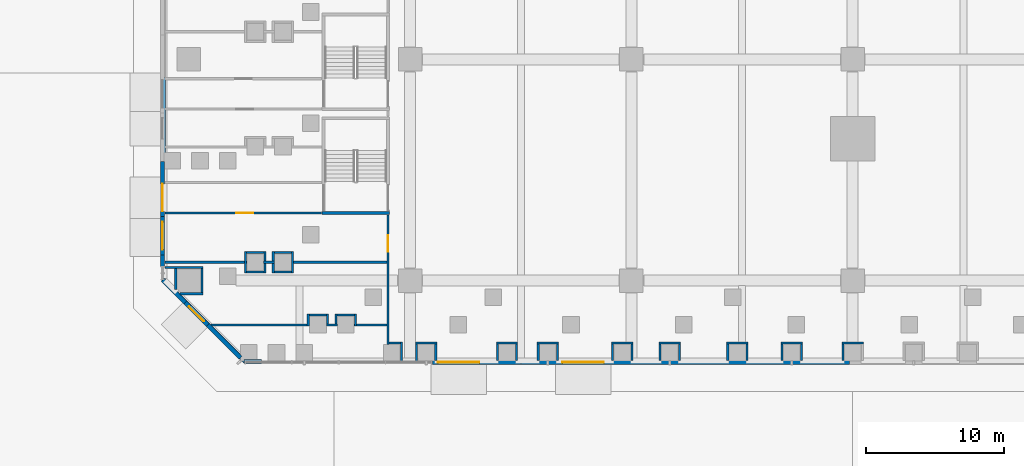
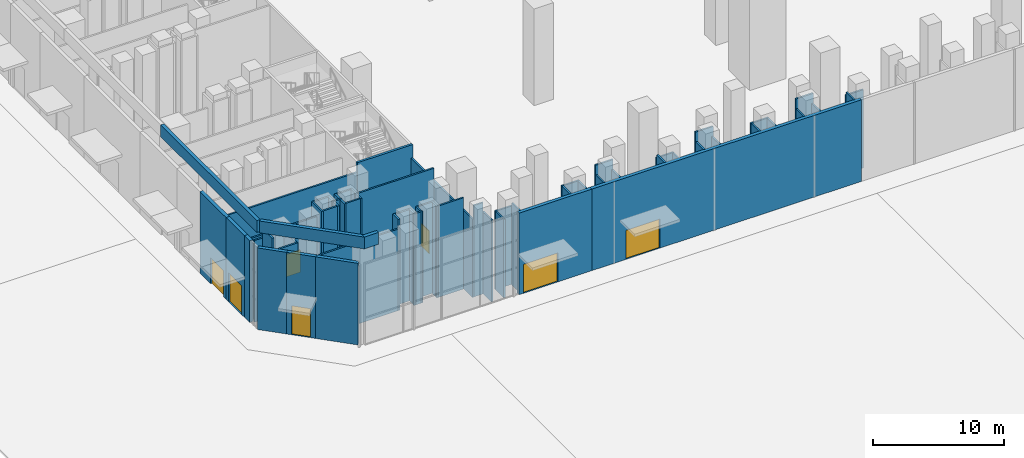
# One storey, part 18 of 51: 63 walls, 7 doors, 7 openings.
"""IFC4 building model written with IfcOpenShell, lengths in metres."""

from ifc_helpers import new_model, si_unit, direction, frame, frame_2d, origin, place, context, subcontext, project, spatial, rectangle, extrude, material, layer, layer_set, type_object, element, fill, save


model = new_model("IFC4")

# Units and contexts
model_context = context("Model", 3, precision=1e-05, world=origin(), true_north=direction((0.0, 1.0)))
body_context = subcontext(model_context, "Body", "Model", "MODEL_VIEW")
ifc_project = project(units=[si_unit("LENGTHUNIT", "METRE"), si_unit("AREAUNIT", "SQUARE_METRE"), si_unit("VOLUMEUNIT", "CUBIC_METRE"), si_unit("PLANEANGLEUNIT", "RADIAN"), si_unit("MASSUNIT", "GRAM", prefix="KILO")], contexts=[model_context])

# Site, building, storey
site_placement = place(None, origin())
site = spatial("IfcSite", under=ifc_project, at=site_placement, CompositionType="ELEMENT")
building_placement = place(site_placement, origin())
building = spatial("IfcBuilding", under=site, at=building_placement, Name="Calabash Gate Tower", CompositionType="ELEMENT")
storey_placement = place(building_placement, origin())
storey = spatial("IfcBuildingStorey", under=building, at=storey_placement, Name="L00", CompositionType="ELEMENT", Elevation=0.0)

# Walls
ifc_material_1 = material(Name="Gypsum board on steel studs, mineral wool", Category="steel")
ifc_layer_1 = layer(ifc_material_1, 0.14990234375)
ifc_layer_set_1 = layer_set([ifc_layer_1], Name="Partition 150 gypsum board")
wall_type_1 = type_object("IfcWallType", Name="Partition 150 gypsum board", PredefinedType="PARTITIONING", material=ifc_layer_set_1)
wall_1_placement = place(storey_placement, frame((-32.635009765625, -45.820068359375, 0.0), z_axis=(0.0, 0.0, 1.0), x_axis=(0.0, 1.0, 0.0)))
element("IfcWall", 1, at=wall_1_placement, inside=storey, type_object=wall_type_1, Name="Partition", PredefinedType="PARTITIONING", context=body_context, shape_type="SweptSolid", body=[
    extrude(rectangle(XDim=1.39501953125, YDim=0.14990234375, at=frame_2d((0.697509765625, 0.0))), origin(), (0.0, 0.0, 1.0), 7.60009765625),
])
wall_2_placement = place(storey_placement, frame((-31.552978515625, -45.820068359375, 0.0), z_axis=(0.0, 0.0, 1.0), x_axis=(0.0, 1.0, 0.0)))
element("IfcWall", 2, at=wall_2_placement, inside=storey, type_object=wall_type_1, Name="Partition", PredefinedType="PARTITIONING", context=body_context, shape_type="SweptSolid", body=[
    extrude(rectangle(XDim=1.2451171875, YDim=0.14990234375, at=frame_2d((0.62255859375, 0.0))), origin(), (0.0, 0.0, 1.0), 7.300048828125),
])
for number, where, z_axis, x_axis, name in (
    (3, (-30.153076171875, -45.77001953125, 0.0), (0.0, 0.0, 1.0), (0.0, 1.0, 0.0), "Partition"),
    (4, (-25.700927734375, -45.77001953125, 0.0), (0.0, 0.0, 1.0), (0.0, 1.0, 0.0), "Partition"),
    (5, (-24.301025390625, -45.77001953125, 0.0), (0.0, 0.0, 1.0), (0.0, 1.0, 0.0), "Partition"),
    (6, (-22.738037109375, -45.77001953125, 0.0), (0.0, 0.0, 1.0), (0.0, 1.0, 0.0), "Partition"),
    (7, (-21.337890625, -45.77001953125, 0.0), (0.0, 0.0, 1.0), (0.0, 1.0, 0.0), "Partition"),
    (8, (-17.366943359375, -45.77001953125, 0.0), (0.0, 0.0, 1.0), (0.0, 1.0, 0.0), "Partition"),
):
    element("IfcWall", number, at=place(storey_placement, frame(where, z_axis=z_axis, x_axis=x_axis)), inside=storey, type_object=wall_type_1, Name=name, PredefinedType="PARTITIONING", context=body_context, shape_type="SweptSolid", body=[
        extrude(rectangle(XDim=1.195068359375, YDim=0.14990234375, at=frame_2d((0.59765625, 0.0))), origin(), (0.0, 0.0, 1.0), 7.60009765625),
    ])
wall_3_placement = place(storey_placement, frame((-15.967041015625, -45.77001953125, 0.0), z_axis=(0.0, 0.0, 1.0), x_axis=(0.0, 1.0, 0.0)))
element("IfcWall", 9, at=wall_3_placement, inside=storey, type_object=wall_type_1, Name="Partition", PredefinedType="PARTITIONING", context=body_context, shape_type="SweptSolid", body=[
    extrude(rectangle(XDim=1.195068359375, YDim=0.14990234375, at=frame_2d((0.59765625, 0.0))), origin(), (0.0, 0.0, 1.0), 7.300048828125),
])
for number, where, z_axis, x_axis, name in (
    (10, (-13.923095703125, -45.77001953125, 0.0), (0.0, 0.0, 1.0), (0.0, 1.0, 0.0), "Partition"),
    (11, (-12.52294921875, -45.77001953125, 0.0), (0.0, 0.0, 1.0), (0.0, 1.0, 0.0), "Partition"),
    (12, (-9.033935546875, -45.77001953125, 0.0), (0.0, 0.0, 1.0), (0.0, 1.0, 0.0), "Partition"),
    (13, (-7.634033203125, -45.77001953125, 0.0), (0.0, 0.0, 1.0), (0.0, 1.0, 0.0), "Partition"),
    (14, (-5.10791015625, -45.77001953125, 0.0), (0.0, 0.0, 1.0), (0.0, 1.0, 0.0), "Partition"),
    (15, (-3.7080078125, -45.77001953125, 0.0), (0.0, 0.0, 1.0), (0.0, 1.0, 0.0), "Partition"),
    (16, (-0.699951171875, -45.77001953125, 0.0), (0.0, 0.0, 1.0), (0.0, 1.0, 0.0), "Partition"),
):
    element("IfcWall", number, at=place(storey_placement, frame(where, z_axis=z_axis, x_axis=x_axis)), inside=storey, type_object=wall_type_1, Name=name, PredefinedType="PARTITIONING", context=body_context, shape_type="SweptSolid", body=[
        extrude(rectangle(XDim=1.195068359375, YDim=0.14990234375, at=frame_2d((0.59765625, 0.0))), origin(), (0.0, 0.0, 1.0), 7.60009765625),
    ])

# Wall, opening, door
wall_4_placement = place(storey_placement, frame((-33.60009765625, -44.60009765625, 0.0), z_axis=(0.0, 0.0, 1.0), x_axis=(0.0, 1.0, 0.0)))
wall_4 = element("IfcWall", 17, at=wall_4_placement, inside=storey, type_object=wall_type_1, Name="Partition", PredefinedType="PARTITIONING", context=body_context, shape_type="SweptSolid", body=[
    extrude(rectangle(XDim=9.360107421875, YDim=0.14990234375, at=frame_2d((4.68017578125, 0.0))), origin(), (0.0, 0.0, 1.0), 7.300048828125),
])
opening_1_placement = place(wall_4_placement, frame((6.699951171875, 0.0, 0.0)))
opening_1 = element("IfcOpeningElement", 18, at=opening_1_placement, cuts=wall_4, Name="Opening L00-085", PredefinedType="OPENING", context=body_context, shape_type="SweptSolid", body=[
    extrude(rectangle(XDim=1.199951171875, YDim=2.10009765625, at=frame_2d((0.60009765625, 1.050048828125))), frame((0.0, 0.0849609375, 0.0), z_axis=(0.0, -1.0, 0.0), x_axis=(1.0, 0.0, 0.0)), (0.0, 0.0, 1.0), 0.169921875),
])
ifc_material_2 = material(Name="Steel fire door set with fire-resisting glazing", Category="steel")
door_type_1 = type_object("IfcDoorType", Name="Fire door D09 1200x2100 FD60", OperationType="NOTDEFINED", PredefinedType="DOOR", material=ifc_material_2)
door_1_placement = place(opening_1_placement, origin())
door_1 = element("IfcDoor", 19, at=door_1_placement, inside=storey, type_object=door_type_1, Name="Shop 02 Cafe door", OperationType="SINGLE_SWING_LEFT", OverallHeight=2.10009765625, OverallWidth=1.199951171875, PredefinedType="DOOR", context=body_context, shape_type="SweptSolid", body=[
    extrude(rectangle(XDim=1.199951171875, YDim=2.10009765625, at=frame_2d((0.60009765625, 1.050048828125))), frame((0.0, 0.02490234375, 0.0), z_axis=(0.0, -1.0, 0.0), x_axis=(1.0, 0.0, 0.0)), (0.0, 0.0, 1.0), 0.050048828125),
])
fill(opening_1, door_1)

# Walls
wall_5_placement = place(storey_placement, frame((-33.52490234375, -44.5, 0.0), z_axis=(0.0, 0.0, 1.0), x_axis=(1.0, 0.0, 0.0)))
element("IfcWall", 20, at=wall_5_placement, inside=storey, type_object=wall_type_1, Name="Partition", PredefinedType="PARTITIONING", context=body_context, shape_type="SweptSolid", body=[
    extrude(rectangle(XDim=0.81494140625, YDim=0.14990234375, at=frame_2d((0.407470703125, 0.0))), origin(), (0.0, 0.0, 1.0), 8.5),
])
wall_6_placement = place(storey_placement, frame((-31.6279296875, -44.5, 0.0), z_axis=(0.0, 0.0, 1.0), x_axis=(1.0, 0.0, 0.0)))
element("IfcWall", 21, at=wall_6_placement, inside=storey, type_object=wall_type_1, Name="Partition", PredefinedType="PARTITIONING", context=body_context, shape_type="SweptSolid", body=[
    extrude(rectangle(XDim=1.550048828125, YDim=0.14990234375, at=frame_2d((0.77490234375, 0.0))), origin(), (0.0, 0.0, 1.0), 7.300048828125),
])
wall_7_placement = place(storey_placement, frame((-25.77587890625, -44.5, 0.0), z_axis=(0.0, 0.0, 1.0), x_axis=(1.0, 0.0, 0.0)))
element("IfcWall", 22, at=wall_7_placement, inside=storey, type_object=wall_type_1, Name="Partition", PredefinedType="PARTITIONING", context=body_context, shape_type="SweptSolid", body=[
    extrude(rectangle(XDim=1.5498046875, YDim=0.14990234375, at=frame_2d((0.77490234375, 0.0))), origin(), (0.0, 0.0, 1.0), 7.60009765625),
])
wall_8_placement = place(storey_placement, frame((-22.81298828125, -44.5, 0.0), z_axis=(0.0, 0.0, 1.0), x_axis=(1.0, 0.0, 0.0)))
element("IfcWall", 23, at=wall_8_placement, inside=storey, type_object=wall_type_1, Name="Partition", PredefinedType="PARTITIONING", context=body_context, shape_type="SweptSolid", body=[
    extrude(rectangle(XDim=1.550048828125, YDim=0.14990234375, at=frame_2d((0.77490234375, 0.0))), origin(), (0.0, 0.0, 1.0), 8.5),
])
wall_9_placement = place(storey_placement, frame((-17.44189453125, -44.5, 0.0), z_axis=(0.0, 0.0, 1.0), x_axis=(1.0, 0.0, 0.0)))
element("IfcWall", 24, at=wall_9_placement, inside=storey, type_object=wall_type_1, Name="Partition", PredefinedType="PARTITIONING", context=body_context, shape_type="SweptSolid", body=[
    extrude(rectangle(XDim=1.5498046875, YDim=0.14990234375, at=frame_2d((0.77490234375, 0.0))), origin(), (0.0, 0.0, 1.0), 7.300048828125),
])
wall_10_placement = place(storey_placement, frame((-13.998046875, -44.5, 0.0), z_axis=(0.0, 0.0, 1.0), x_axis=(1.0, 0.0, 0.0)))
element("IfcWall", 25, at=wall_10_placement, inside=storey, type_object=wall_type_1, Name="Partition", PredefinedType="PARTITIONING", context=body_context, shape_type="SweptSolid", body=[
    extrude(rectangle(XDim=1.550048828125, YDim=0.14990234375, at=frame_2d((0.77490234375, 0.0))), origin(), (0.0, 0.0, 1.0), 8.5),
])
wall_11_placement = place(storey_placement, frame((-9.10888671875, -44.5, 0.0), z_axis=(0.0, 0.0, 1.0), x_axis=(1.0, 0.0, 0.0)))
element("IfcWall", 26, at=wall_11_placement, inside=storey, type_object=wall_type_1, Name="Partition", PredefinedType="PARTITIONING", context=body_context, shape_type="SweptSolid", body=[
    extrude(rectangle(XDim=1.5498046875, YDim=0.14990234375, at=frame_2d((0.77490234375, 0.0))), origin(), (0.0, 0.0, 1.0), 7.60009765625),
])
wall_12_placement = place(storey_placement, frame((-5.18310546875, -44.5, 0.0), z_axis=(0.0, 0.0, 1.0), x_axis=(1.0, 0.0, 0.0)))
element("IfcWall", 27, at=wall_12_placement, inside=storey, type_object=wall_type_1, Name="Partition", PredefinedType="PARTITIONING", context=body_context, shape_type="SweptSolid", body=[
    extrude(rectangle(XDim=1.550048828125, YDim=0.14990234375, at=frame_2d((0.77490234375, 0.0))), origin(), (0.0, 0.0, 1.0), 8.5),
])
wall_13_placement = place(storey_placement, frame((-0.77490234375, -44.5, 0.0), z_axis=(0.0, 0.0, 1.0), x_axis=(1.0, 0.0, 0.0)))
element("IfcWall", 28, at=wall_13_placement, inside=storey, type_object=wall_type_1, Name="Partition", PredefinedType="PARTITIONING", context=body_context, shape_type="SweptSolid", body=[
    extrude(rectangle(XDim=1.5498046875, YDim=0.14990234375, at=frame_2d((0.77490234375, 0.0))), origin(), (0.0, 0.0, 1.0), 7.300048828125),
])
wall_14_placement = place(storey_placement, frame((-46.395751953125, -43.199951171875, 0.0), z_axis=(0.0, 0.0, 1.0), x_axis=(1.0, 0.0, 0.0)))
element("IfcWall", 29, at=wall_14_placement, inside=storey, type_object=wall_type_1, Name="Partition", PredefinedType="PARTITIONING", context=body_context, shape_type="SweptSolid", body=[
    extrude(rectangle(XDim=7.126708984375, YDim=0.14990234375, at=frame_2d((3.5634765625, 0.0))), origin(), (0.0, 0.0, 1.0), 7.60009765625),
])
wall_15_placement = place(storey_placement, frame((-39.368896484375, -43.27490234375, 0.0), z_axis=(0.0, 0.0, 1.0), x_axis=(0.0, 1.0, 0.0)))
element("IfcWall", 30, at=wall_15_placement, inside=storey, type_object=wall_type_1, Name="Partition", PredefinedType="PARTITIONING", context=body_context, shape_type="SweptSolid", body=[
    extrude(rectangle(XDim=0.849853515625, YDim=0.14990234375, at=frame_2d((0.4248046875, 0.0))), origin(), (0.0, 0.0, 1.0), 8.5),
])
wall_16_placement = place(storey_placement, frame((-38.069091796875, -43.199951171875, 0.0), z_axis=(0.0, 0.0, 1.0), x_axis=(1.0, 0.0, 0.0)))
element("IfcWall", 31, at=wall_16_placement, inside=storey, type_object=wall_type_1, Name="Partition", PredefinedType="PARTITIONING", context=body_context, shape_type="SweptSolid", body=[
    extrude(rectangle(XDim=0.800048828125, YDim=0.14990234375, at=frame_2d((0.39990234375, 0.0))), origin(), (0.0, 0.0, 1.0), 8.5),
])
for number, where, z_axis, x_axis, name in (
    (32, (-37.968994140625, -43.27490234375, 0.0), (0.0, 0.0, 1.0), (0.0, 1.0, 0.0), "Partition"),
    (33, (-37.368896484375, -43.27490234375, 0.0), (0.0, 0.0, 1.0), (0.0, 1.0, 0.0), "Partition"),
):
    element("IfcWall", number, at=place(storey_placement, frame(where, z_axis=z_axis, x_axis=x_axis)), inside=storey, type_object=wall_type_1, Name=name, PredefinedType="PARTITIONING", context=body_context, shape_type="SweptSolid", body=[
        extrude(rectangle(XDim=0.849853515625, YDim=0.14990234375, at=frame_2d((0.4248046875, 0.0))), origin(), (0.0, 0.0, 1.0), 8.5),
    ])
wall_17_placement = place(storey_placement, frame((-36.069091796875, -43.199951171875, 0.0), z_axis=(0.0, 0.0, 1.0), x_axis=(1.0, 0.0, 0.0)))
element("IfcWall", 34, at=wall_17_placement, inside=storey, type_object=wall_type_1, Name="Partition", PredefinedType="PARTITIONING", context=body_context, shape_type="SweptSolid", body=[
    extrude(rectangle(XDim=2.39404296875, YDim=0.14990234375, at=frame_2d((1.197021484375, 0.0))), origin(), (0.0, 0.0, 1.0), 8.5),
])
wall_18_placement = place(storey_placement, frame((-35.968994140625, -43.27490234375, 0.0), z_axis=(0.0, 0.0, 1.0), x_axis=(0.0, 1.0, 0.0)))
element("IfcWall", 35, at=wall_18_placement, inside=storey, type_object=wall_type_1, Name="Partition", PredefinedType="PARTITIONING", context=body_context, shape_type="SweptSolid", body=[
    extrude(rectangle(XDim=0.849853515625, YDim=0.14990234375, at=frame_2d((0.4248046875, 0.0))), origin(), (0.0, 0.0, 1.0), 8.5),
])
for number, where, z_axis, x_axis, name in (
    (36, (-39.2939453125, -42.5, 0.0), (0.0, 0.0, 1.0), (1.0, 0.0, 0.0), "Partition"),
    (37, (-37.2939453125, -42.5, 0.0), (0.0, 0.0, 1.0), (1.0, 0.0, 0.0), "Partition"),
):
    element("IfcWall", number, at=place(storey_placement, frame(where, z_axis=z_axis, x_axis=x_axis)), inside=storey, type_object=wall_type_1, Name=name, PredefinedType="PARTITIONING", context=body_context, shape_type="SweptSolid", body=[
        extrude(rectangle(XDim=1.25, YDim=0.14990234375, at=frame_2d((0.625, 0.0))), origin(), (0.0, 0.0, 1.0), 8.5),
    ])
wall_19_placement = place(storey_placement, frame((-48.645751953125, -40.949951171875, 0.0), z_axis=(0.0, 0.0, 1.0), x_axis=(1.0, 0.0, 0.0)))
element("IfcWall", 38, at=wall_19_placement, inside=storey, type_object=wall_type_1, Name="Partition", PredefinedType="PARTITIONING", context=body_context, shape_type="SweptSolid", body=[
    extrude(rectangle(XDim=1.670654296875, YDim=0.14990234375, at=frame_2d((0.83544921875, 0.0))), origin(), (0.0, 0.0, 1.0), 7.60009765625),
])
wall_20_placement = place(storey_placement, frame((-47.050048828125, -40.875, 0.0), z_axis=(0.0, 0.0, 1.0), x_axis=(0.0, 1.0, 0.0)))
element("IfcWall", 39, at=wall_20_placement, inside=storey, type_object=wall_type_1, Name="Partition", PredefinedType="PARTITIONING", context=body_context, shape_type="SweptSolid", body=[
    extrude(rectangle(XDim=1.75, YDim=0.14990234375, at=frame_2d((0.875, 0.0))), origin(), (0.0, 0.0, 1.0), 7.60009765625),
])
wall_21_placement = place(storey_placement, frame((-48.949951171875, -40.645751953125, 0.0), z_axis=(0.0, 0.0, 1.0), x_axis=(0.0, 1.0, 0.0)))
element("IfcWall", 40, at=wall_21_placement, inside=storey, type_object=wall_type_1, Name="Partition", PredefinedType="PARTITIONING", context=body_context, shape_type="SweptSolid", body=[
    extrude(rectangle(XDim=1.520751953125, YDim=0.14990234375, at=frame_2d((0.76025390625, 0.0))), origin(), (0.0, 0.0, 1.0), 8.5),
])
wall_22_placement = place(storey_placement, frame((-43.89990234375, -39.444091796875, 0.0), z_axis=(0.0, 0.0, 1.0), x_axis=(0.0, 1.0, 0.0)))
element("IfcWall", 41, at=wall_22_placement, inside=storey, type_object=wall_type_1, Name="Partition", PredefinedType="PARTITIONING", context=body_context, shape_type="SweptSolid", body=[
    extrude(rectangle(XDim=1.550048828125, YDim=0.14990234375, at=frame_2d((0.77490234375, 0.0))), origin(), (0.0, 0.0, 1.0), 8.5),
])
wall_23_placement = place(storey_placement, frame((-43.824951171875, -39.368896484375, 0.0), z_axis=(0.0, 0.0, 1.0), x_axis=(1.0, 0.0, 0.0)))
element("IfcWall", 42, at=wall_23_placement, inside=storey, type_object=wall_type_1, Name="Partition", PredefinedType="PARTITIONING", context=body_context, shape_type="SweptSolid", body=[
    extrude(rectangle(XDim=1.25, YDim=0.14990234375, at=frame_2d((0.625, 0.0))), origin(), (0.0, 0.0, 1.0), 8.5),
])
for number, where, z_axis, x_axis, name in (
    (43, (-42.5, -39.444091796875, 0.0), (0.0, 0.0, 1.0), (0.0, 1.0, 0.0), "Partition"),
    (44, (-41.89990234375, -39.444091796875, 0.0), (0.0, 0.0, 1.0), (0.0, 1.0, 0.0), "Partition"),
):
    element("IfcWall", number, at=place(storey_placement, frame(where, z_axis=z_axis, x_axis=x_axis)), inside=storey, type_object=wall_type_1, Name=name, PredefinedType="PARTITIONING", context=body_context, shape_type="SweptSolid", body=[
        extrude(rectangle(XDim=1.550048828125, YDim=0.14990234375, at=frame_2d((0.77490234375, 0.0))), origin(), (0.0, 0.0, 1.0), 8.5),
    ])
wall_24_placement = place(storey_placement, frame((-41.824951171875, -39.368896484375, 0.0), z_axis=(0.0, 0.0, 1.0), x_axis=(1.0, 0.0, 0.0)))
element("IfcWall", 45, at=wall_24_placement, inside=storey, type_object=wall_type_1, Name="Partition", PredefinedType="PARTITIONING", context=body_context, shape_type="SweptSolid", body=[
    extrude(rectangle(XDim=1.25, YDim=0.14990234375, at=frame_2d((0.625, 0.0))), origin(), (0.0, 0.0, 1.0), 8.5),
])
wall_25_placement = place(storey_placement, frame((-40.5, -39.444091796875, 0.0), z_axis=(0.0, 0.0, 1.0), x_axis=(0.0, 1.0, 0.0)))
element("IfcWall", 46, at=wall_25_placement, inside=storey, type_object=wall_type_1, Name="Partition", PredefinedType="PARTITIONING", context=body_context, shape_type="SweptSolid", body=[
    extrude(rectangle(XDim=1.550048828125, YDim=0.14990234375, at=frame_2d((0.77490234375, 0.0))), origin(), (0.0, 0.0, 1.0), 8.5),
])
wall_26_placement = place(storey_placement, frame((-49.719970703125, -39.050048828125, 0.0), z_axis=(0.0, 0.0, 1.0), x_axis=(1.0, 0.0, 0.0)))
element("IfcWall", 47, at=wall_26_placement, inside=storey, type_object=wall_type_1, Name="Partition", PredefinedType="PARTITIONING", context=body_context, shape_type="SweptSolid", body=[
    extrude(rectangle(XDim=2.744873046875, YDim=0.14990234375, at=frame_2d((1.37255859375, 0.0))), origin(), (0.0, 0.0, 1.0), 7.60009765625),
])
wall_27_placement = place(storey_placement, frame((-49.719970703125, -38.669921875, 0.0), z_axis=(0.0, 0.0, 1.0), x_axis=(1.0, 0.0, 0.0)))
element("IfcWall", 48, at=wall_27_placement, inside=storey, type_object=wall_type_1, Name="Partition", PredefinedType="PARTITIONING", context=body_context, shape_type="SweptSolid", body=[
    extrude(rectangle(XDim=5.919921875, YDim=0.14990234375, at=frame_2d((2.9599609375, 0.0))), origin(), (0.0, 0.0, 1.0), 7.60009765625),
])
wall_28_placement = place(storey_placement, frame((-42.60009765625, -38.669921875, 0.0), z_axis=(0.0, 0.0, 1.0), x_axis=(1.0, 0.0, 0.0)))
element("IfcWall", 49, at=wall_28_placement, inside=storey, type_object=wall_type_1, Name="Partition", PredefinedType="PARTITIONING", context=body_context, shape_type="SweptSolid", body=[
    extrude(rectangle(XDim=0.800048828125, YDim=0.14990234375, at=frame_2d((0.39990234375, 0.0))), origin(), (0.0, 0.0, 1.0), 8.5),
])
wall_29_placement = place(storey_placement, frame((-40.60009765625, -38.669921875, 0.0), z_axis=(0.0, 0.0, 1.0), x_axis=(1.0, 0.0, 0.0)))
element("IfcWall", 50, at=wall_29_placement, inside=storey, type_object=wall_type_1, Name="Partition", PredefinedType="PARTITIONING", context=body_context, shape_type="SweptSolid", body=[
    extrude(rectangle(XDim=6.925048828125, YDim=0.14990234375, at=frame_2d((3.46240234375, 0.0))), origin(), (0.0, 0.0, 1.0), 8.5),
])
for number, where, z_axis, x_axis, name in (
    (51, (-43.824951171875, -37.968994140625, 0.0), (0.0, 0.0, 1.0), (1.0, 0.0, 0.0), "Partition"),
    (52, (-41.824951171875, -37.968994140625, 0.0), (0.0, 0.0, 1.0), (1.0, 0.0, 0.0), "Partition"),
):
    element("IfcWall", number, at=place(storey_placement, frame(where, z_axis=z_axis, x_axis=x_axis)), inside=storey, type_object=wall_type_1, Name=name, PredefinedType="PARTITIONING", context=body_context, shape_type="SweptSolid", body=[
        extrude(rectangle(XDim=1.25, YDim=0.14990234375, at=frame_2d((0.625, 0.0))), origin(), (0.0, 0.0, 1.0), 8.5),
    ])

# Wall, opening, door
wall_30_placement = place(storey_placement, frame((-49.719970703125, -35.1005859375, 0.0), z_axis=(0.0, 0.0, 1.0), x_axis=(1.0, 0.0, 0.0)))
wall_30 = element("IfcWall", 53, at=wall_30_placement, inside=storey, type_object=wall_type_1, Name="Partition", PredefinedType="PARTITIONING", context=body_context, shape_type="SweptSolid", body=[
    extrude(rectangle(XDim=11.31005859375, YDim=0.15087890625, at=frame_2d((5.655029296875, 0.0))), origin(), (0.0, 0.0, 1.0), 7.60009765625),
])
opening_2_placement = place(wall_30_placement, frame((5.155029296875, 0.0, 0.0)))
opening_2 = element("IfcOpeningElement", 54, at=opening_2_placement, cuts=wall_30, Name="Opening L00-086", PredefinedType="OPENING", context=body_context, shape_type="SweptSolid", body=[
    extrude(rectangle(XDim=1.199951171875, YDim=2.10009765625, at=frame_2d((0.60009765625, 1.050048828125))), frame((0.0, 0.08544921875, 0.0), z_axis=(0.0, -1.0, 0.0), x_axis=(1.0, 0.0, 0.0)), (0.0, 0.0, 1.0), 0.1708984375),
])
door_2_placement = place(opening_2_placement, origin())
door_2 = element("IfcDoor", 55, at=door_2_placement, inside=storey, type_object=door_type_1, Name="Shop 03 door", OperationType="SINGLE_SWING_RIGHT", OverallHeight=2.10009765625, OverallWidth=1.199951171875, PredefinedType="DOOR", context=body_context, shape_type="SweptSolid", body=[
    extrude(rectangle(XDim=1.199951171875, YDim=2.10009765625, at=frame_2d((0.60009765625, 1.050048828125))), frame((0.0, 0.02490234375, 0.0), z_axis=(0.0, -1.0, 0.0), x_axis=(1.0, 0.0, 0.0)), (0.0, 0.0, 1.0), 0.050048828125),
])
fill(opening_2, door_2)

# Walls
ifc_material_3 = material(Name="Terracotta brick masonry, exposed face", Category="masonry")
ifc_layer_2 = layer(ifc_material_3, 0.300048828125)
ifc_layer_set_2 = layer_set([ifc_layer_2], Name="Podium brick wall 300")
wall_type_2 = type_object("IfcWallType", Name="Podium brick wall 300", PredefinedType="SOLIDWALL", material=ifc_layer_set_2)
wall_31_placement = place(storey_placement, frame((-49.89990234375, -38.154052734375, 0.0), z_axis=(0.0, 0.0, 1.0), x_axis=(0.0, -1.0, 0.0)))
element("IfcWall", 56, at=wall_31_placement, inside=storey, type_object=wall_type_2, Name="Podium brick pier L00 6.1.p11", PredefinedType="SOLIDWALL", context=body_context, shape_type="SweptSolid", body=[
    extrude(rectangle(XDim=0.81591796875, YDim=0.300048828125, at=frame_2d((0.407958984375, 0.0))), origin(), (0.0, 0.0, 1.0), 7.60009765625),
])
wall_32_placement = place(storey_placement, frame((-49.89404296875, -39.964599609375, 0.0), z_axis=(0.0, 0.0, 1.0), x_axis=(0.707159765846, -0.707053792556, 0.0)))
element("IfcWall", 57, at=wall_32_placement, inside=storey, type_object=wall_type_2, Name="Podium brick wall L00 7.0.0", PredefinedType="SOLIDWALL", context=body_context, shape_type="SweptSolid", body=[
    extrude(rectangle(XDim=2.3037109375, YDim=0.300048828125, at=frame_2d((1.15185546875, 0.0))), origin(), (0.0, 0.0, 1.0), 7.60009765625),
])
wall_33_placement = place(storey_placement, frame((-46.638671875, -43.219970703125, 0.0), z_axis=(0.0, 0.0, 1.0), x_axis=(0.707106781187, -0.707106781187, 0.0)))
element("IfcWall", 58, at=wall_33_placement, inside=storey, type_object=wall_type_2, Name="Podium brick wall L00 7.1.0", PredefinedType="SOLIDWALL", context=body_context, shape_type="SweptSolid", body=[
    extrude(rectangle(XDim=3.348388671875, YDim=0.300048828125, at=frame_2d((1.67431640625, 0.0))), origin(), (0.0, 0.0, 1.0), 7.60009765625),
])

# Wall, opening, door
ifc_material_4 = material(Name="Aluminium framed entrance wall with insulated spandrel", Category="aluminium")
ifc_layer_3 = layer(ifc_material_4, 0.300048828125)
ifc_layer_set_3 = layer_set([ifc_layer_3], Name="Podium entrance wall 300")
wall_type_3 = type_object("IfcWallType", Name="Podium entrance wall 300", PredefinedType="ELEMENTEDWALL", material=ifc_layer_set_3)
wall_34_placement = place(storey_placement, frame((-30.39599609375, -45.89990234375, 0.0), z_axis=(0.0, 0.0, 1.0), x_axis=(1.0, 0.0, 0.0)))
wall_34 = element("IfcWall", 59, at=wall_34_placement, inside=storey, type_object=wall_type_3, Name="Entrance door wall L00", PredefinedType="ELEMENTEDWALL", context=body_context, shape_type="SweptSolid", body=[
    extrude(rectangle(XDim=6.39990234375, YDim=0.300048828125, at=frame_2d((3.199951171875, 0.0))), origin(), (0.0, 0.0, 1.0), 7.60009765625),
])
opening_3_placement = place(wall_34_placement, frame((0.39990234375, 0.0, 0.0)))
opening_3 = element("IfcOpeningElement", 60, at=opening_3_placement, cuts=wall_34, Name="Opening L00-001", PredefinedType="OPENING", context=body_context, shape_type="SweptSolid", body=[
    extrude(rectangle(XDim=3.0, YDim=2.699951171875, at=frame_2d((1.5, 1.35009765625))), frame((0.0, 0.159912109375, 0.0), z_axis=(0.0, -1.0, 0.0), x_axis=(1.0, 0.0, 0.0)), (0.0, 0.0, 1.0), 0.320068359375),
])
ifc_material_5 = material(Name="Anodised aluminium frame, bronze finish, impact-rated laminated clear glazing", Category="aluminium")
door_type_2 = type_object("IfcDoorType", Name="Podium door DE300 3000x2700", OperationType="DOUBLE_DOOR_SINGLE_SWING", PredefinedType="DOOR", material=ifc_material_5)
door_3_placement = place(opening_3_placement, origin())
door_3 = element("IfcDoor", 61, at=door_3_placement, inside=storey, type_object=door_type_2, Name="Entrance door L00", OperationType="DOUBLE_DOOR_SINGLE_SWING", OverallHeight=2.699951171875, OverallWidth=3.0, PredefinedType="DOOR", context=body_context, shape_type="SweptSolid", body=[
    extrude(rectangle(XDim=3.0, YDim=2.699951171875, at=frame_2d((1.5, 1.35009765625))), frame((0.0, 0.02490234375, 0.0), z_axis=(0.0, -1.0, 0.0), x_axis=(1.0, 0.0, 0.0)), (0.0, 0.0, 1.0), 0.050048828125),
])
fill(opening_3, door_3)

wall_35_placement = place(storey_placement, frame((-23.99609375, -45.89990234375, 0.0), z_axis=(0.0, 0.0, 1.0), x_axis=(1.0, 0.0, 0.0)))
wall_35 = element("IfcWall", 62, at=wall_35_placement, inside=storey, type_object=wall_type_3, Name="Entrance door wall L00", PredefinedType="ELEMENTEDWALL", context=body_context, shape_type="SweptSolid", body=[
    extrude(rectangle(XDim=23.75, YDim=0.300048828125, at=frame_2d((11.875, 0.0))), origin(), (0.0, 0.0, 1.0), 7.60009765625),
])
opening_4_placement = place(wall_35_placement, frame((3.0, 0.0, 0.0)))
opening_4 = element("IfcOpeningElement", 63, at=opening_4_placement, cuts=wall_35, Name="Opening L00-002", PredefinedType="OPENING", context=body_context, shape_type="SweptSolid", body=[
    extrude(rectangle(XDim=3.0, YDim=2.699951171875, at=frame_2d((1.5, 1.35009765625))), frame((0.0, 0.159912109375, 0.0), z_axis=(0.0, -1.0, 0.0), x_axis=(1.0, 0.0, 0.0)), (0.0, 0.0, 1.0), 0.320068359375),
])
door_4_placement = place(opening_4_placement, origin())
door_4 = element("IfcDoor", 64, at=door_4_placement, inside=storey, type_object=door_type_2, Name="Entrance door L00", OperationType="DOUBLE_DOOR_SINGLE_SWING", OverallHeight=2.699951171875, OverallWidth=3.0, PredefinedType="DOOR", context=body_context, shape_type="SweptSolid", body=[
    extrude(rectangle(XDim=3.0, YDim=2.699951171875, at=frame_2d((1.5, 1.35009765625))), frame((0.0, 0.02490234375, 0.0), z_axis=(0.0, -1.0, 0.0), x_axis=(1.0, 0.0, 0.0)), (0.0, 0.0, 1.0), 0.050048828125),
])
fill(opening_4, door_4)

wall_36_placement = place(storey_placement, frame((-49.89990234375, -31.376953125, 0.0), z_axis=(0.0, 0.0, 1.0), x_axis=(0.0, -1.0, 0.0)))
wall_36 = element("IfcWall", 65, at=wall_36_placement, inside=storey, type_object=wall_type_3, Name="Exit door wall L00", PredefinedType="ELEMENTEDWALL", context=body_context, shape_type="SweptSolid", body=[
    extrude(rectangle(XDim=4.0, YDim=0.300048828125, at=frame_2d((2.0, 0.0))), origin(), (0.0, 0.0, 1.0), 7.60009765625),
])
opening_5_placement = place(wall_36_placement, frame((1.623046875, 0.0, 0.0)))
opening_5 = element("IfcOpeningElement", 66, at=opening_5_placement, cuts=wall_36, Name="Opening L00-029", PredefinedType="OPENING", context=body_context, shape_type="SweptSolid", body=[
    extrude(rectangle(XDim=2.0, YDim=2.39990234375, at=frame_2d((1.0, 1.199951171875))), frame((0.0, 0.159912109375, 0.0), z_axis=(0.0, -1.0, 0.0), x_axis=(1.0, 0.0, 0.0)), (0.0, 0.0, 1.0), 0.320068359375),
])
ifc_material_6 = material(Name="Steel, powder coated, glazed vision panel", Category="steel")
door_type_3 = type_object("IfcDoorType", Name="Podium door DX200 2000x2400", OperationType="DOUBLE_DOOR_SINGLE_SWING", PredefinedType="DOOR", material=ifc_material_6)
door_5_placement = place(opening_5_placement, origin())
door_5 = element("IfcDoor", 67, at=door_5_placement, inside=storey, type_object=door_type_3, Name="Exit door L00", OperationType="DOUBLE_DOOR_SINGLE_SWING", OverallHeight=2.39990234375, OverallWidth=2.0, PredefinedType="DOOR", context=body_context, shape_type="SweptSolid", body=[
    extrude(rectangle(XDim=2.0, YDim=2.39990234375, at=frame_2d((1.0, 1.199951171875))), frame((0.0, 0.02490234375, 0.0), z_axis=(0.0, -1.0, 0.0), x_axis=(1.0, 0.0, 0.0)), (0.0, 0.0, 1.0), 0.050048828125),
])
fill(opening_5, door_5)

wall_37_placement = place(storey_placement, frame((-49.89990234375, -35.376953125, 0.0), z_axis=(0.0, 0.0, 1.0), x_axis=(0.0, -1.0, 0.0)))
wall_37 = element("IfcWall", 68, at=wall_37_placement, inside=storey, type_object=wall_type_3, Name="Entrance door wall L00", PredefinedType="ELEMENTEDWALL", context=body_context, shape_type="SweptSolid", body=[
    extrude(rectangle(XDim=2.777099609375, YDim=0.300048828125, at=frame_2d((1.388671875, 0.0))), origin(), (0.0, 0.0, 1.0), 7.60009765625),
])
opening_6_placement = place(wall_37_placement, frame((0.376953125, 0.0, 0.0)))
opening_6 = element("IfcOpeningElement", 69, at=opening_6_placement, cuts=wall_37, Name="Opening L00-030", PredefinedType="OPENING", context=body_context, shape_type="SweptSolid", body=[
    extrude(rectangle(XDim=2.0, YDim=2.699951171875, at=frame_2d((1.0, 1.35009765625))), frame((0.0, 0.159912109375, 0.0), z_axis=(0.0, -1.0, 0.0), x_axis=(1.0, 0.0, 0.0)), (0.0, 0.0, 1.0), 0.320068359375),
])
ifc_material_7 = material(Name="Anodised aluminium frame, bronze finish, impact-rated laminated clear glazing", Category="aluminium")
door_type_4 = type_object("IfcDoorType", Name="Podium door DE200 2000x2700", OperationType="DOUBLE_DOOR_SINGLE_SWING", PredefinedType="DOOR", material=ifc_material_7)
door_6_placement = place(opening_6_placement, origin())
door_6 = element("IfcDoor", 70, at=door_6_placement, inside=storey, type_object=door_type_4, Name="Entrance door L00", OperationType="DOUBLE_DOOR_SINGLE_SWING", OverallHeight=2.699951171875, OverallWidth=2.0, PredefinedType="DOOR", context=body_context, shape_type="SweptSolid", body=[
    extrude(rectangle(XDim=2.0, YDim=2.699951171875, at=frame_2d((1.0, 1.35009765625))), frame((0.0, 0.02490234375, 0.0), z_axis=(0.0, -1.0, 0.0), x_axis=(1.0, 0.0, 0.0)), (0.0, 0.0, 1.0), 0.050048828125),
])
fill(opening_6, door_6)

wall_38_placement = place(storey_placement, frame((-48.264892578125, -41.593505859375, 0.0), z_axis=(0.0, 0.0, 1.0), x_axis=(0.707053705054, -0.707159853336, 0.0)))
wall_38 = element("IfcWall", 71, at=wall_38_placement, inside=storey, type_object=wall_type_3, Name="Entrance door wall L00", PredefinedType="ELEMENTEDWALL", context=body_context, shape_type="SweptSolid", body=[
    extrude(rectangle(XDim=2.300048828125, YDim=0.300048828125, at=frame_2d((1.14990234375, 0.0))), origin(), (0.0, 0.0, 1.0), 7.60009765625),
])
opening_7_placement = place(wall_38_placement, frame((0.39990234375, 0.0, 0.0)))
opening_7 = element("IfcOpeningElement", 72, at=opening_7_placement, cuts=wall_38, Name="Opening L00-031", PredefinedType="OPENING", context=body_context, shape_type="SweptSolid", body=[
    extrude(rectangle(XDim=1.5, YDim=2.699951171875, at=frame_2d((0.75, 1.35009765625))), frame((0.0, 0.159912109375, 0.0), z_axis=(0.0, -1.0, 0.0), x_axis=(1.0, 0.0, 0.0)), (0.0, 0.0, 1.0), 0.320068359375),
])
ifc_material_8 = material(Name="Anodised aluminium frame, bronze finish, impact-rated laminated clear glazing", Category="aluminium")
door_type_5 = type_object("IfcDoorType", Name="Podium door DE150 1500x2700", OperationType="DOUBLE_DOOR_SINGLE_SWING", PredefinedType="DOOR", material=ifc_material_8)
door_7_placement = place(opening_7_placement, origin())
door_7 = element("IfcDoor", 73, at=door_7_placement, inside=storey, type_object=door_type_5, Name="Entrance door L00", OperationType="DOUBLE_DOOR_SINGLE_SWING", OverallHeight=2.699951171875, OverallWidth=1.5, PredefinedType="DOOR", context=body_context, shape_type="SweptSolid", body=[
    extrude(rectangle(XDim=1.5, YDim=2.699951171875, at=frame_2d((0.75, 1.35009765625))), frame((0.0, 0.02490234375, 0.0), z_axis=(0.0, -1.0, 0.0), x_axis=(1.0, 0.0, 0.0)), (0.0, 0.0, 1.0), 0.050048828125),
])
fill(opening_7, door_7)

# Walls
ifc_material_9 = material(Name="Terracotta brick masonry, exposed face", Category="masonry")
ifc_layer_4 = layer(ifc_material_9, 0.300048828125)
ifc_layer_set_4 = layer_set([ifc_layer_4], Name="Podium parapet wall 300")
wall_type_4 = type_object("IfcWallType", Name="Podium parapet wall 300", PredefinedType="PARAPET", material=ifc_layer_set_4)
wall_39_placement = place(storey_placement, frame((-44.0, -45.85009765625, 9.0), z_axis=(0.0, 0.0, 1.0), x_axis=(1.0, 0.0, 0.0)))
element("IfcWall", 74, at=wall_39_placement, inside=storey, type_object=wall_type_4, Name="Podium parapet L00 0.0.0", PredefinedType="PARAPET", context=body_context, shape_type="SweptSolid", body=[
    extrude(rectangle(XDim=1.25, YDim=0.300048828125, at=frame_2d((0.625, 0.0))), origin(), (0.0, 0.0, 1.0), 1.10009765625),
])
wall_40_placement = place(storey_placement, frame((-49.85009765625, -25.302490234375, 9.0), z_axis=(0.0, 0.0, 1.0), x_axis=(0.0, -1.0, 0.0)))
element("IfcWall", 75, at=wall_40_placement, inside=storey, type_object=wall_type_4, Name="Podium parapet L00 6.0.3", PredefinedType="PARAPET", context=body_context, shape_type="SweptSolid", body=[
    extrude(rectangle(XDim=14.697509765625, YDim=0.300048828125, at=frame_2d((7.3486328125, 0.0))), origin(), (0.0, 0.0, 1.0), 1.10009765625),
])
wall_41_placement = place(storey_placement, frame((-49.745361328125, -40.04248046875, 9.0), z_axis=(0.0, 0.0, 1.0), x_axis=(0.707092029666, -0.7071215324, 0.0)))
element("IfcWall", 76, at=wall_41_placement, inside=storey, type_object=wall_type_4, Name="Podium parapet L00 7.0.0", PredefinedType="PARAPET", context=body_context, shape_type="SweptSolid", body=[
    extrude(rectangle(XDim=8.275146484375, YDim=0.300048828125, at=frame_2d((4.1376953125, 0.0))), origin(), (0.0, 0.0, 1.0), 1.10009765625),
])
ifc_material_10 = material(Name="Concrete C40/50", Category="concrete")
ifc_layer_5 = layer(ifc_material_10, 0.199951171875)
ifc_layer_set_5 = layer_set([ifc_layer_5], Name="Stair wall 200 Concrete C40/50")
wall_type_5 = type_object("IfcWallType", Name="Stair wall 200 Concrete C40/50", PredefinedType="SOLIDWALL", material=ifc_layer_set_5)
wall_42_placement = place(storey_placement, frame((-38.3701171875, -35.10009765625, 0.0), z_axis=(0.0, 0.0, 1.0), x_axis=(1.0, 0.0, 0.0)))
element("IfcWall", 77, at=wall_42_placement, inside=storey, type_object=wall_type_5, Name="Stair wall", PredefinedType="SOLIDWALL", context=body_context, shape_type="SweptSolid", body=[
    extrude(rectangle(XDim=4.8701171875, YDim=0.199951171875, at=frame_2d((2.43505859375, 0.0))), origin(), (0.0, 0.0, 1.0), 8.5),
])

save(model, "model.ifc")
